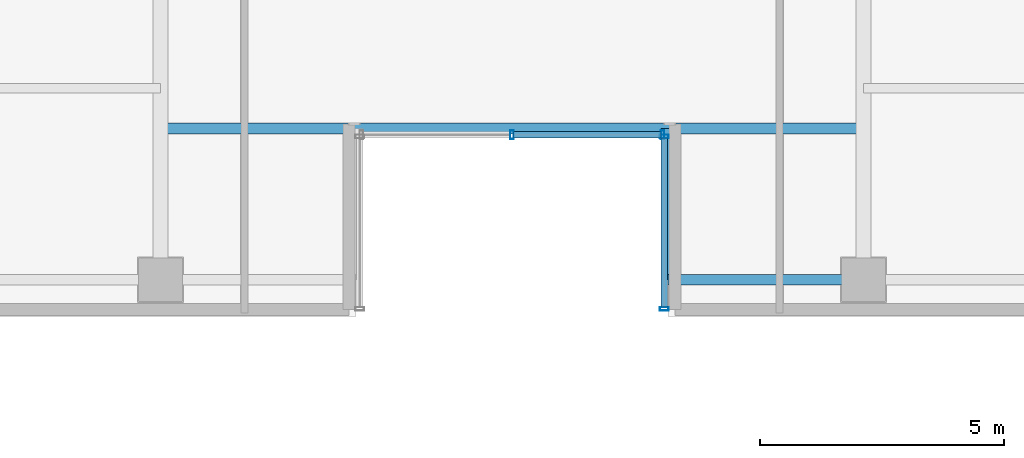
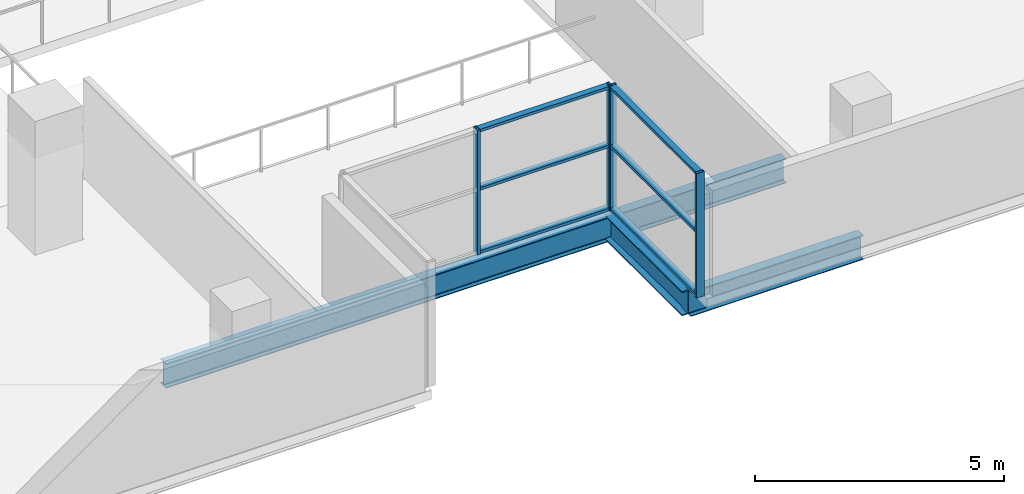
# One storey, part 12 of 30: 10 members, 3 beams, 2 elements without a shape of their own.
"""IFC4 building model written with IfcOpenShell, lengths in metres."""

from ifc_helpers import new_model, si_unit, direction, frame, origin, origin_2d, place, context, subcontext, project, spatial, hollow_rectangle, i_section, extrude, source, transform, mapped, material, layer, layer_set, material_profile, profile_set, type_object, element, aggregate, save


model = new_model("IFC4")

# Units and contexts
model_context = context("Model", 3, precision=1e-05, world=origin(), true_north=direction((0.0, 1.0)))
body_context = subcontext(model_context, "Body", "Model", "MODEL_VIEW")
ifc_project = project(units=[si_unit("LENGTHUNIT", "METRE"), si_unit("AREAUNIT", "SQUARE_METRE"), si_unit("VOLUMEUNIT", "CUBIC_METRE"), si_unit("PLANEANGLEUNIT", "RADIAN"), si_unit("MASSUNIT", "GRAM", prefix="KILO")], contexts=[model_context])

# Site, building, storey
site_placement = place(None, origin())
site = spatial("IfcSite", under=ifc_project, at=site_placement, CompositionType="ELEMENT")
building_placement = place(site_placement, origin())
building = spatial("IfcBuilding", under=site, at=building_placement, Name="Zarnakvel Exchange Tower", CompositionType="ELEMENT")
storey_placement = place(building_placement, frame((0.0, 0.0, 50.5)))
storey = spatial("IfcBuildingStorey", under=building, at=storey_placement, Name="L13", CompositionType="ELEMENT", Elevation=50.5)

# Beams
ifc_material_1 = material(Name="Steel S355", Category="steel")
ifc_material_profile_1 = material_profile(ifc_material_1, i_section(OverallWidth=0.300048828125, OverallDepth=0.60009765625, WebThickness=0.015380859375, FlangeThickness=0.030029296875, FilletRadius=0.027099609375, at=origin_2d()))
ifc_profile_set_1 = profile_set([ifc_material_profile_1], Name="Steel S355")
beam_type_1 = type_object("IfcBeamType", Name="G-04", PredefinedType="BEAM", material=ifc_profile_set_1)
beam_1_placement = place(storey_placement, frame((3.199951171875, -17.449951171875, -0.52490234375), z_axis=(0.0, 1.0, 0.0), x_axis=(-1.0, 0.0, 0.0)))
element("IfcBeam", 1, at=beam_1_placement, inside=storey, type_object=beam_type_1, Name="L13 South Slot East Cheek Beam", PredefinedType="BEAM", context=body_context, shape_type="SweptSolid", body=[
    extrude(i_section(OverallWidth=0.300048828125, OverallDepth=0.60009765625, WebThickness=0.015380859375, FlangeThickness=0.030029296875, FilletRadius=0.027099609375, at=origin_2d()), origin(), (0.0, 0.0, 1.0), 3.099853515625),
])
ifc_material_profile_2 = material_profile(ifc_material_1, i_section(OverallWidth=0.219970703125, OverallDepth=0.60009765625, WebThickness=0.011962890625, FlangeThickness=0.01904296875, FilletRadius=0.02392578125, at=origin_2d()))
ifc_profile_set_2 = profile_set([ifc_material_profile_2], Name="Steel S355")
beam_type_2 = type_object("IfcBeamType", Name="SP-01", PredefinedType="SPANDREL", material=ifc_profile_set_2)
beam_2_placement = place(storey_placement, frame((3.199951171875, -17.449951171875, -0.52490234375), z_axis=(1.0, 0.0, 0.0), x_axis=(0.0, 1.0, 0.0)))
element("IfcBeam", 2, at=beam_2_placement, inside=storey, type_object=beam_type_2, Name="L13 South Slot East Jamb Spandrel", PredefinedType="SPANDREL", context=body_context, shape_type="SweptSolid", body=[
    extrude(i_section(OverallWidth=0.219970703125, OverallDepth=0.60009765625, WebThickness=0.011962890625, FlangeThickness=0.01904296875, FilletRadius=0.02392578125, at=origin_2d()), origin(), (0.0, 0.0, 1.0), 4.0),
])
beam_3_placement = place(storey_placement, frame((-7.199951171875, -14.35009765625, -0.52490234375), z_axis=(1.0, 0.0, 0.0), x_axis=(0.0, 1.0, 0.0)))
element("IfcBeam", 3, at=beam_3_placement, inside=storey, type_object=beam_type_2, Name="L13 South Slot Head Trimmer Girder", PredefinedType="SPANDREL", context=body_context, shape_type="SweptSolid", body=[
    extrude(i_section(OverallWidth=0.219970703125, OverallDepth=0.60009765625, WebThickness=0.011962890625, FlangeThickness=0.01904296875, FilletRadius=0.02392578125, at=origin_2d()), origin(), (0.0, 0.0, 1.0), 14.39990234375),
])

# Curtain wall, members
ifc_material_2 = material(Name="Architectural Bronze Anodised Aluminium", Category="aluminium")
ifc_layer = layer(ifc_material_2, 0.179931640625)
ifc_layer_set = layer_set([ifc_layer], Name="Architectural Bronze Anodised Aluminium")
curtain_wall_type = type_object("IfcCurtainWallType", Name="CW-05", PredefinedType="NOTDEFINED", material=ifc_layer_set)
curtain_wall_1_placement = place(storey_placement, origin())
curtain_wall_1 = element("IfcCurtainWall", 4, at=curtain_wall_1_placement, inside=storey, type_object=curtain_wall_type, Name="L13 Curtain Wall CW-L13-SLE (CW-05)", PredefinedType="NOTDEFINED")
ifc_material_profile_3 = material_profile(ifc_material_2, hollow_rectangle(XDim=0.139892578125, YDim=0.070068359375, WallThickness=0.00390625, at=origin_2d()))
ifc_profile_set_3 = profile_set([ifc_material_profile_3], Name="Architectural Bronze Anodised Aluminium")
member_type_1 = type_object("IfcMemberType", Name="CWT-05", PredefinedType="USERDEFINED", material=ifc_profile_set_3)
shared_shape_1 = source(origin(), body_context, "Body", "SweptSolid", [
    extrude(hollow_rectangle(XDim=0.139892578125, YDim=0.070068359375, WallThickness=0.00390625, at=origin_2d()), origin(), (0.0, 0.0, 1.0), 3.4599609375),
])
member_1_placement = place(storey_placement, frame((3.1201171875, -14.550048828125, 0.034912109375), z_axis=(0.0, -1.0, 0.0), x_axis=(1.0, 0.0, 0.0)))
member_1 = element("IfcMember", 5, at=member_1_placement, type_object=member_type_1, Name="CW-05 transom 1.1", ObjectType="TRANSOM", PredefinedType="USERDEFINED", context=body_context, shape_type="MappedRepresentation", body=[
    mapped(shared_shape_1, transform((0.0, 0.0, 0.0), x_axis=(1.0, 0.0, 0.0), y_axis=(0.0, 1.0, 0.0), z_axis=(0.0, 0.0, 1.0), scale=1.0)),
])
member_2_placement = place(storey_placement, frame((3.1201171875, -14.550048828125, 1.588623046875), z_axis=(0.0, -1.0, 0.0), x_axis=(1.0, 0.0, 0.0)))
member_2 = element("IfcMember", 6, at=member_2_placement, type_object=member_type_1, Name="CW-05 transom 1.2", ObjectType="TRANSOM", PredefinedType="USERDEFINED", context=body_context, shape_type="MappedRepresentation", body=[
    mapped(shared_shape_1, transform((0.0, 0.0, 0.0), x_axis=(1.0, 0.0, 0.0), y_axis=(0.0, 1.0, 0.0), z_axis=(0.0, 0.0, 1.0), scale=1.0)),
])
member_3_placement = place(storey_placement, frame((3.1201171875, -14.550048828125, 3.02001953125), z_axis=(0.0, -1.0, 0.0), x_axis=(1.0, 0.0, 0.0)))
member_3 = element("IfcMember", 7, at=member_3_placement, type_object=member_type_1, Name="CW-05 transom 1.3", ObjectType="TRANSOM", PredefinedType="USERDEFINED", context=body_context, shape_type="MappedRepresentation", body=[
    mapped(shared_shape_1, transform((0.0, 0.0, 0.0), x_axis=(1.0, 0.0, 0.0), y_axis=(0.0, 1.0, 0.0), z_axis=(0.0, 0.0, 1.0), scale=1.0)),
])

curtain_wall_2_placement = place(storey_placement, origin())
curtain_wall_2 = element("IfcCurtainWall", 8, at=curtain_wall_2_placement, inside=storey, type_object=curtain_wall_type, Name="L13 Curtain Wall CW-L13-SLB (CW-05)", PredefinedType="NOTDEFINED")
shared_shape_2 = source(origin(), body_context, "Body", "SweptSolid", [
    extrude(hollow_rectangle(XDim=0.139892578125, YDim=0.070068359375, WallThickness=0.00390625, at=origin_2d()), origin(), (0.0, 0.0, 1.0), 3.01513671875),
])
member_4_placement = place(storey_placement, frame((0.034912109375, -14.47998046875, 0.034912109375), z_axis=(1.0, 0.0, 0.0), x_axis=(0.0, 1.0, 0.0)))
member_4 = element("IfcMember", 9, at=member_4_placement, type_object=member_type_1, Name="CW-05 transom 2.1", ObjectType="TRANSOM", PredefinedType="USERDEFINED", context=body_context, shape_type="MappedRepresentation", body=[
    mapped(shared_shape_2, transform((0.0, 0.0, 0.0), x_axis=(1.0, 0.0, 0.0), y_axis=(0.0, 1.0, 0.0), z_axis=(0.0, 0.0, 1.0), scale=1.0)),
])
member_5_placement = place(storey_placement, frame((0.034912109375, -14.47998046875, 1.588623046875), z_axis=(1.0, 0.0, 0.0), x_axis=(0.0, 1.0, 0.0)))
member_5 = element("IfcMember", 10, at=member_5_placement, type_object=member_type_1, Name="CW-05 transom 2.2", ObjectType="TRANSOM", PredefinedType="USERDEFINED", context=body_context, shape_type="MappedRepresentation", body=[
    mapped(shared_shape_2, transform((0.0, 0.0, 0.0), x_axis=(1.0, 0.0, 0.0), y_axis=(0.0, 1.0, 0.0), z_axis=(0.0, 0.0, 1.0), scale=1.0)),
])
member_6_placement = place(storey_placement, frame((0.034912109375, -14.47998046875, 3.02001953125), z_axis=(1.0, 0.0, 0.0), x_axis=(0.0, 1.0, 0.0)))
member_6 = element("IfcMember", 11, at=member_6_placement, type_object=member_type_1, Name="CW-05 transom 2.3", ObjectType="TRANSOM", PredefinedType="USERDEFINED", context=body_context, shape_type="MappedRepresentation", body=[
    mapped(shared_shape_2, transform((0.0, 0.0, 0.0), x_axis=(1.0, 0.0, 0.0), y_axis=(0.0, 1.0, 0.0), z_axis=(0.0, 0.0, 1.0), scale=1.0)),
])
ifc_material_profile_4 = material_profile(ifc_material_2, hollow_rectangle(XDim=0.179931640625, YDim=0.070068359375, WallThickness=0.00390625, at=origin_2d()))
ifc_profile_set_4 = profile_set([ifc_material_profile_4], Name="Architectural Bronze Anodised Aluminium")
member_type_2 = type_object("IfcMemberType", Name="CWM-05", PredefinedType="MULLION", material=ifc_profile_set_4)
shared_shape_3 = source(origin(), body_context, "Body", "SweptSolid", [
    extrude(hollow_rectangle(XDim=0.179931640625, YDim=0.070068359375, WallThickness=0.00390625, at=origin_2d()), origin(), (0.0, 0.0, 1.0), 3.054931640625),
])
member_7_placement = place(storey_placement, frame((0.0, -14.47998046875, 0.0), z_axis=(0.0, 0.0, 1.0), x_axis=(0.0, 1.0, 0.0)))
member_7 = element("IfcMember", 12, at=member_7_placement, type_object=member_type_2, Name="CW-05 mullion 2", PredefinedType="MULLION", context=body_context, shape_type="MappedRepresentation", body=[
    mapped(shared_shape_3, transform((0.0, 0.0, 0.0), x_axis=(1.0, 0.0, 0.0), y_axis=(0.0, 1.0, 0.0), z_axis=(0.0, 0.0, 1.0), scale=1.0)),
])
member_8_placement = place(storey_placement, frame((3.0849609375, -14.47998046875, 0.0), z_axis=(0.0, 0.0, 1.0), x_axis=(0.0, 1.0, 0.0)))
member_8 = element("IfcMember", 13, at=member_8_placement, type_object=member_type_2, Name="CW-05 mullion 3", PredefinedType="MULLION", context=body_context, shape_type="MappedRepresentation", body=[
    mapped(shared_shape_3, transform((0.0, 0.0, 0.0), x_axis=(1.0, 0.0, 0.0), y_axis=(0.0, 1.0, 0.0), z_axis=(0.0, 0.0, 1.0), scale=1.0)),
])
aggregate(curtain_wall_2, [member_7, member_8, member_4, member_5, member_6])

# Member
member_9_placement = place(storey_placement, frame((3.1201171875, -14.514892578125, 0.0), z_axis=(0.0, 0.0, 1.0), x_axis=(1.0, 0.0, 0.0)))
member_9 = element("IfcMember", 14, at=member_9_placement, type_object=member_type_2, Name="CW-05 mullion 1", PredefinedType="MULLION", context=body_context, shape_type="MappedRepresentation", body=[
    mapped(shared_shape_3, transform((0.0, 0.0, 0.0), x_axis=(1.0, 0.0, 0.0), y_axis=(0.0, 1.0, 0.0), z_axis=(0.0, 0.0, 1.0), scale=1.0)),
])

member_10_placement = place(storey_placement, frame((3.1201171875, -18.044921875, 0.0), z_axis=(0.0, 0.0, 1.0), x_axis=(1.0, 0.0, 0.0)))
member_10 = element("IfcMember", 15, at=member_10_placement, type_object=member_type_2, Name="CW-05 mullion 2", PredefinedType="MULLION", context=body_context, shape_type="MappedRepresentation", body=[
    mapped(shared_shape_3, transform((0.0, 0.0, 0.0), x_axis=(1.0, 0.0, 0.0), y_axis=(0.0, 1.0, 0.0), z_axis=(0.0, 0.0, 1.0), scale=1.0)),
])

aggregate(curtain_wall_1, [member_9, member_10, member_1, member_2, member_3])

save(model, "model.ifc")
